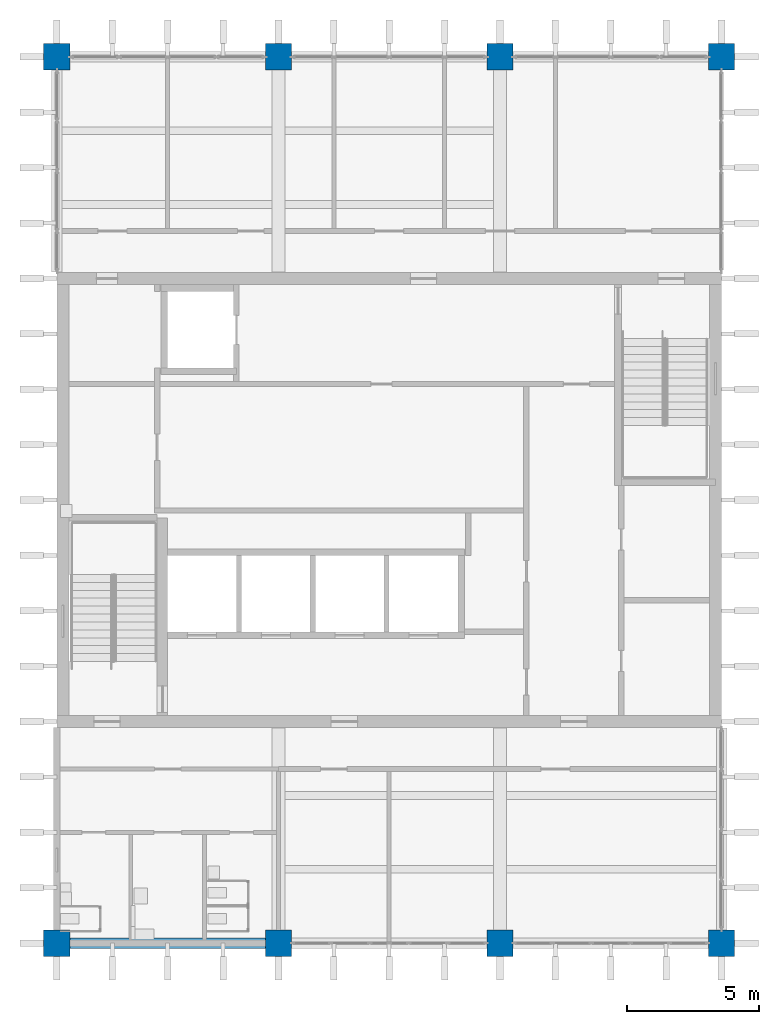
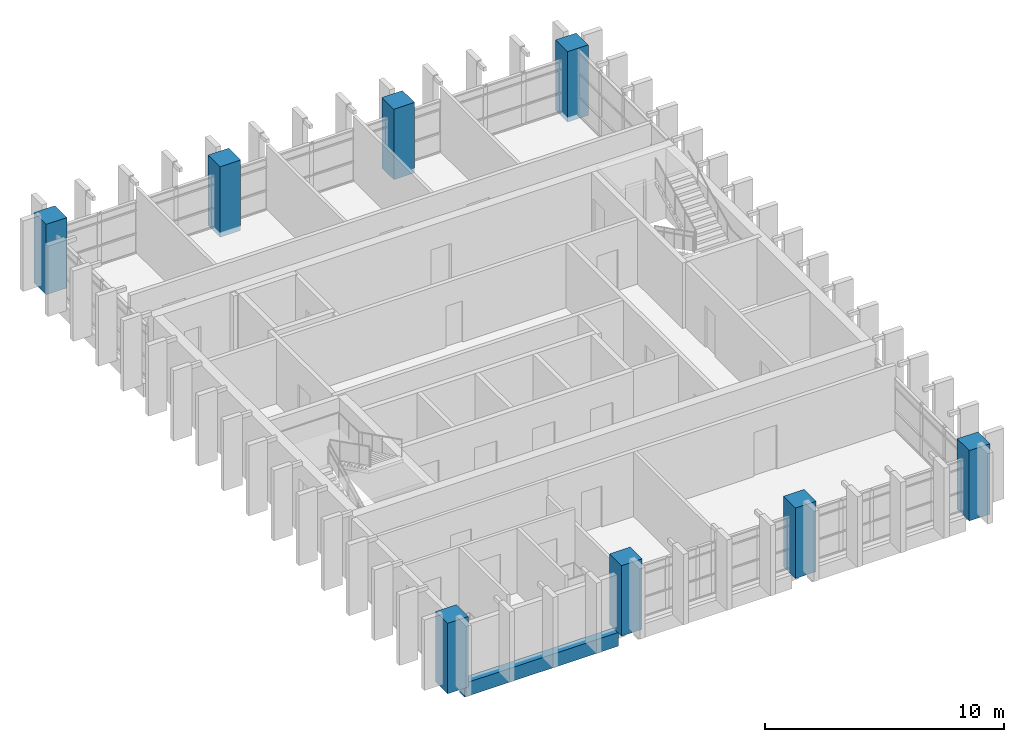
# One storey, part 1 of 11: 8 columns, 1 beam.
"""IFC4 building model written with IfcOpenShell, lengths in metres."""

from ifc_helpers import new_model, si_unit, direction, frame, origin, origin_2d, place, context, subcontext, project, spatial, rectangle, extrude, material, material_profile, profile_set, type_object, element, save


model = new_model("IFC4")

# Units and contexts
model_context = context("Model", 3, precision=1e-05, world=origin(), true_north=direction((0.0, 1.0)))
body_context = subcontext(model_context, "Body", "Model", "MODEL_VIEW")
ifc_project = project(units=[si_unit("LENGTHUNIT", "METRE"), si_unit("AREAUNIT", "SQUARE_METRE"), si_unit("VOLUMEUNIT", "CUBIC_METRE"), si_unit("PLANEANGLEUNIT", "RADIAN"), si_unit("MASSUNIT", "GRAM", prefix="KILO")], contexts=[model_context])

# Site, building, storey
site_placement = place(None, origin())
site = spatial("IfcSite", under=ifc_project, at=site_placement, CompositionType="ELEMENT")
building_placement = place(site_placement, origin())
building = spatial("IfcBuilding", under=site, at=building_placement, Name="Rulbaag Community and Learning Centre", CompositionType="ELEMENT")
storey_placement = place(building_placement, frame((0.0, 0.0, 18.0)))
storey = spatial("IfcBuildingStorey", under=building, at=storey_placement, Name="L04", CompositionType="ELEMENT", Elevation=18.0)

# Columns
ifc_material_1 = material(Name="Concrete M60", Category="concrete")
ifc_material_profile_1 = material_profile(ifc_material_1, rectangle(XDim=1.0, YDim=1.0, at=origin_2d()), Name="RC1000x1000")
ifc_profile_set_1 = profile_set([ifc_material_profile_1], Name="Concrete M60")
column_type = type_object("IfcColumnType", Name="C10 Column 1000x1000 Concrete M60", PredefinedType="COLUMN", material=ifc_profile_set_1)
for number, where, z_axis, x_axis, name in (
    (1, (142.800048828125, 84.0, -0.25), (0.0, 0.0, 1.0), (1.0, 0.0, 0.0), "COL-18K-L04"),
    (2, (142.800048828125, 117.60009765625, -0.25), (0.0, 0.0, 1.0), (1.0, 0.0, 0.0), "COL-18O-L04"),
    (3, (151.199951171875, 84.0, -0.25), (0.0, 0.0, 1.0), (1.0, 0.0, 0.0), "COL-19K-L04"),
    (4, (151.199951171875, 117.60009765625, -0.25), (0.0, 0.0, 1.0), (1.0, 0.0, 0.0), "COL-19O-L04"),
    (5, (159.60009765625, 84.0, -0.25), (0.0, 0.0, 1.0), (1.0, 0.0, 0.0), "COL-20K-L04"),
    (6, (159.60009765625, 117.60009765625, -0.25), (0.0, 0.0, 1.0), (1.0, 0.0, 0.0), "COL-20O-L04"),
    (7, (168.0, 84.0, -0.25), (0.0, 0.0, 1.0), (1.0, 0.0, 0.0), "COL-21K-L04"),
    (8, (168.0, 117.60009765625, -0.25), (0.0, 0.0, 1.0), (1.0, 0.0, 0.0), "COL-21O-L04"),
):
    element("IfcColumn", number, at=place(storey_placement, frame(where, z_axis=z_axis, x_axis=x_axis)), inside=storey, type_object=column_type, Name=name, PredefinedType="COLUMN", context=body_context, shape_type="SweptSolid", body=[
        extrude(rectangle(XDim=1.0, YDim=1.0, at=origin_2d()), origin(), (0.0, 0.0, 1.0), 3.60009765625),
    ])

# Beam
ifc_material_2 = material(Name="Concrete M40", Category="concrete")
ifc_material_profile_2 = material_profile(ifc_material_2, rectangle(XDim=0.39990234375, YDim=0.699951171875, at=origin_2d()), Name="RB400x700")
ifc_profile_set_2 = profile_set([ifc_material_profile_2], Name="Concrete M40")
beam_type = type_object("IfcBeamType", Name="B17 Tower edge beam, lower zone 400x700 Concrete M40", PredefinedType="BEAM", material=ifc_profile_set_2)
beam_placement = place(storey_placement, frame((143.280029296875, 84.0, -0.60009765625), z_axis=(1.0, 0.0, 0.0), x_axis=(0.0, 1.0, 0.0)))
element("IfcBeam", 9, at=beam_placement, inside=storey, type_object=beam_type, Name="BM-L04-18K-19K", PredefinedType="BEAM", context=body_context, shape_type="SweptSolid", body=[
    extrude(rectangle(XDim=0.39990234375, YDim=0.699951171875, at=origin_2d()), origin(), (0.0, 0.0, 1.0), 7.43994140625),
])

save(model, "model.ifc")
